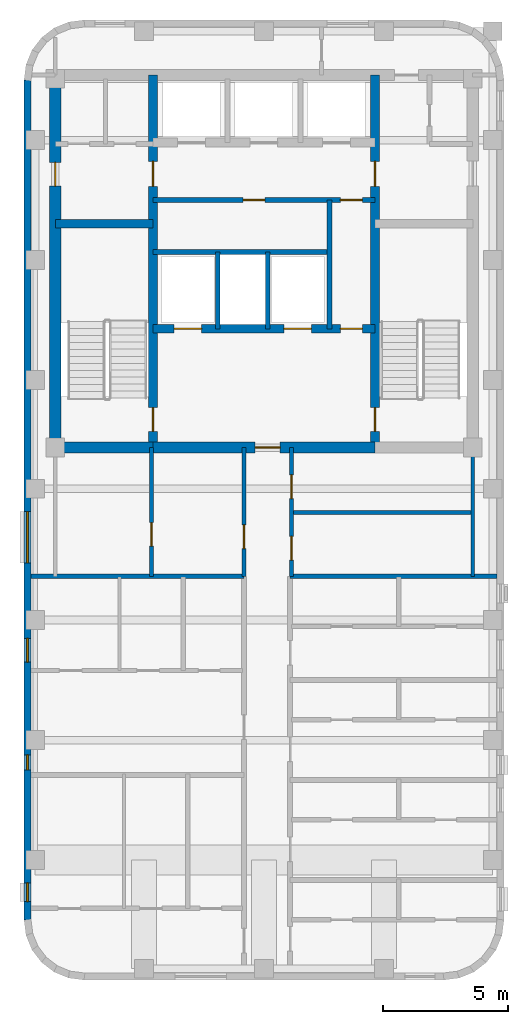
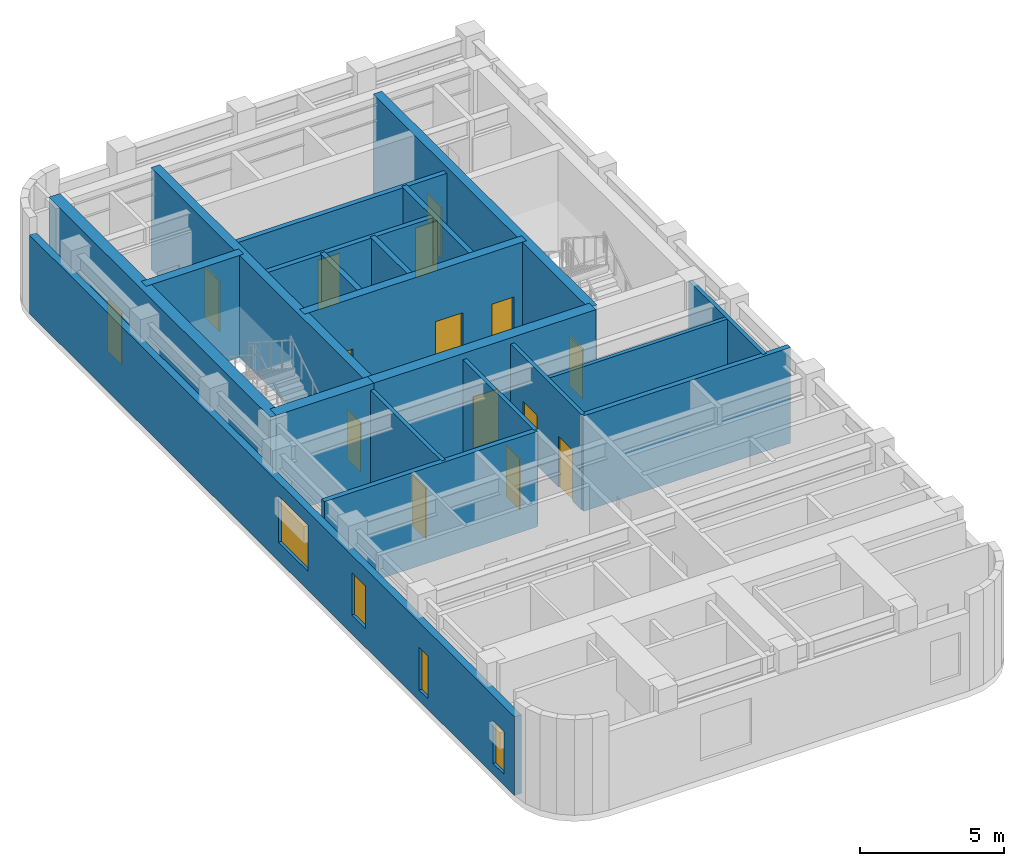
# One storey, part 3 of 6: 20 walls, 15 doors, 4 windows, 19 openings.
"""IFC4 building model written with IfcOpenShell, lengths in metres."""

from ifc_helpers import new_model, si_unit, direction, frame, frame_2d, origin, place, context, subcontext, project, spatial, rectangle, extrude, material, layer, layer_set, type_object, element, fill, save


model = new_model("IFC4")

# Units and contexts
model_context = context("Model", 3, precision=1e-05, world=origin(), true_north=direction((0.0, 1.0)))
body_context = subcontext(model_context, "Body", "Model", "MODEL_VIEW")
ifc_project = project(units=[si_unit("LENGTHUNIT", "METRE"), si_unit("AREAUNIT", "SQUARE_METRE"), si_unit("VOLUMEUNIT", "CUBIC_METRE"), si_unit("PLANEANGLEUNIT", "RADIAN"), si_unit("MASSUNIT", "GRAM", prefix="KILO")], contexts=[model_context])

# Site, building, storey
site_placement = place(None, origin())
site = spatial("IfcSite", under=ifc_project, at=site_placement, CompositionType="ELEMENT")
building_placement = place(site_placement, origin())
building = spatial("IfcBuilding", under=site, at=building_placement, Name="Orvandelia Arch Residences", CompositionType="ELEMENT")
storey_placement = place(building_placement, frame((0.0, 0.0, 261.300048828125)))
storey = spatial("IfcBuildingStorey", under=building, at=storey_placement, Name="L68", CompositionType="ELEMENT", Elevation=261.300048828125)

# Wall, openings, doors
ifc_material_1 = material(Name="Concrete C50/60", Category="concrete")
ifc_layer_1 = layer(ifc_material_1, 0.35009765625, Name="Concrete C50/60", Category="concrete")
ifc_layer_set_1 = layer_set([ifc_layer_1], Name="Concrete C50/60")
wall_type_1 = type_object("IfcWallType", Name="WL-CORE-350", PredefinedType="SHEAR", material=ifc_layer_set_1)
wall_1_placement = place(storey_placement, frame((9.9599609375, 30.89990234375, 0.0), z_axis=(0.0, 0.0, 1.0), x_axis=(0.0, 1.0, 0.0)))
wall_1 = element("IfcWall", 1, at=wall_1_placement, inside=storey, type_object=wall_type_1, Name="Core Shear Wall L68-WEB1", PredefinedType="SHEAR", context=body_context, shape_type="SweptSolid", body=[
    extrude(rectangle(XDim=14.900146484375, YDim=0.35009765625, at=frame_2d((7.4501953125, 0.0))), origin(), (0.0, 0.0, 1.0), 4.300048828125),
])
opening_1_placement = place(wall_1_placement, frame((0.64990234375, 0.0, 0.0)))
opening_1 = element("IfcOpeningElement", 2, at=opening_1_placement, cuts=wall_1, Name="Opening D7", PredefinedType="OPENING", context=body_context, shape_type="SweptSolid", body=[
    extrude(rectangle(XDim=0.949951171875, YDim=2.10009765625, at=frame_2d((0.47509765625, 1.050048828125))), frame((0.0, 0.18505859375, 0.0), z_axis=(0.0, -1.0, 0.0), x_axis=(1.0, 0.0, 0.0)), (0.0, 0.0, 1.0), 0.3701171875),
])
opening_2_placement = place(wall_1_placement, frame((10.449951171875, 0.0, 0.0)))
opening_2 = element("IfcOpeningElement", 3, at=opening_2_placement, cuts=wall_1, Name="Opening D6", PredefinedType="OPENING", context=body_context, shape_type="SweptSolid", body=[
    extrude(rectangle(XDim=1.0, YDim=2.14990234375, at=frame_2d((0.5, 1.074951171875))), frame((0.0, 0.18505859375, 0.0), z_axis=(0.0, -1.0, 0.0), x_axis=(1.0, 0.0, 0.0)), (0.0, 0.0, 1.0), 0.3701171875),
])
ifc_material_2 = material(Name="Smokeproof Painted Steel Fire Door", Category="steel")
door_type_1 = type_object("IfcDoorType", Name="DR-FD60-1000", OperationType="NOTDEFINED", PredefinedType="DOOR", material=ifc_material_2)
door_1_placement = place(opening_2_placement, origin())
door_1 = element("IfcDoor", 4, at=door_1_placement, inside=storey, type_object=door_type_1, Name="High-Rise Lift Hall West Vestibule Door L68", OperationType="SINGLE_SWING_LEFT", OverallHeight=2.14990234375, OverallWidth=1.0, PredefinedType="DOOR", context=body_context, shape_type="SweptSolid", body=[
    extrude(rectangle(XDim=1.0, YDim=2.14990234375, at=frame_2d((0.5, 1.074951171875))), frame((0.0, 0.02490234375, 0.0), z_axis=(0.0, -1.0, 0.0), x_axis=(1.0, 0.0, 0.0)), (0.0, 0.0, 1.0), 0.050048828125),
])
fill(opening_2, door_1)
ifc_material_3 = material(Name="Pressurised Stairwell Fire Door")
door_type_2 = type_object("IfcDoorType", Name="DR-STAIR-950", OperationType="NOTDEFINED", PredefinedType="DOOR", material=ifc_material_3)
door_2_placement = place(opening_1_placement, origin())
door_2 = element("IfcDoor", 5, at=door_2_placement, inside=storey, type_object=door_type_2, Name="Stairwell ST-1 Fire Door L68", OperationType="SINGLE_SWING_LEFT", OverallHeight=2.10009765625, OverallWidth=0.949951171875, PredefinedType="DOOR", context=body_context, shape_type="SweptSolid", body=[
    extrude(rectangle(XDim=0.949951171875, YDim=2.10009765625, at=frame_2d((0.47509765625, 1.050048828125))), frame((0.0, 0.02490234375, 0.0), z_axis=(0.0, -1.0, 0.0), x_axis=(1.0, 0.0, 0.0)), (0.0, 0.0, 1.0), 0.050048828125),
])
fill(opening_1, door_2)

wall_2_placement = place(storey_placement, frame((18.840087890625, 30.89990234375, 0.0), z_axis=(0.0, 0.0, 1.0), x_axis=(0.0, 1.0, 0.0)))
wall_2 = element("IfcWall", 6, at=wall_2_placement, inside=storey, type_object=wall_type_1, Name="Core Shear Wall L68-WEB2", PredefinedType="SHEAR", context=body_context, shape_type="SweptSolid", body=[
    extrude(rectangle(XDim=14.900146484375, YDim=0.35009765625, at=frame_2d((7.4501953125, 0.0))), origin(), (0.0, 0.0, 1.0), 4.300048828125),
])
opening_3_placement = place(wall_2_placement, frame((0.64990234375, 0.0, 0.0)))
opening_3 = element("IfcOpeningElement", 7, at=opening_3_placement, cuts=wall_2, Name="Opening D7", PredefinedType="OPENING", context=body_context, shape_type="SweptSolid", body=[
    extrude(rectangle(XDim=0.949951171875, YDim=2.10009765625, at=frame_2d((0.47509765625, 1.050048828125))), frame((0.0, 0.18505859375, 0.0), z_axis=(0.0, -1.0, 0.0), x_axis=(1.0, 0.0, 0.0)), (0.0, 0.0, 1.0), 0.3701171875),
])
opening_4_placement = place(wall_2_placement, frame((10.449951171875, 0.0, 0.0)))
opening_4 = element("IfcOpeningElement", 8, at=opening_4_placement, cuts=wall_2, Name="Opening D6", PredefinedType="OPENING", context=body_context, shape_type="SweptSolid", body=[
    extrude(rectangle(XDim=1.0, YDim=2.14990234375, at=frame_2d((0.5, 1.074951171875))), frame((0.0, 0.18505859375, 0.0), z_axis=(0.0, -1.0, 0.0), x_axis=(1.0, 0.0, 0.0)), (0.0, 0.0, 1.0), 0.3701171875),
])
door_3_placement = place(opening_4_placement, origin())
door_3 = element("IfcDoor", 9, at=door_3_placement, inside=storey, type_object=door_type_1, Name="High-Rise Lift Hall East Vestibule Door L68", OperationType="SINGLE_SWING_RIGHT", OverallHeight=2.14990234375, OverallWidth=1.0, PredefinedType="DOOR", context=body_context, shape_type="SweptSolid", body=[
    extrude(rectangle(XDim=1.0, YDim=2.14990234375, at=frame_2d((0.5, 1.074951171875))), frame((0.0, 0.02490234375, 0.0), z_axis=(0.0, -1.0, 0.0), x_axis=(1.0, 0.0, 0.0)), (0.0, 0.0, 1.0), 0.050048828125),
])
fill(opening_4, door_3)
door_4_placement = place(opening_3_placement, origin())
door_4 = element("IfcDoor", 10, at=door_4_placement, inside=storey, type_object=door_type_2, Name="Stairwell ST-2 Fire Door L68", OperationType="SINGLE_SWING_RIGHT", OverallHeight=2.10009765625, OverallWidth=0.949951171875, PredefinedType="DOOR", context=body_context, shape_type="SweptSolid", body=[
    extrude(rectangle(XDim=0.949951171875, YDim=2.10009765625, at=frame_2d((0.47509765625, 1.050048828125))), frame((0.0, 0.02490234375, 0.0), z_axis=(0.0, -1.0, 0.0), x_axis=(1.0, 0.0, 0.0)), (0.0, 0.0, 1.0), 0.050048828125),
])
fill(opening_3, door_4)

# Wall
wall_3_placement = place(storey_placement, frame((6.050048828125, 39.85009765625, 0.0), z_axis=(0.0, 0.0, 1.0), x_axis=(1.0, 0.0, 0.0)))
element("IfcWall", 11, at=wall_3_placement, inside=storey, type_object=wall_type_1, Name="Core Shear Wall L68-HZ1", PredefinedType="SHEAR", context=body_context, shape_type="SweptSolid", body=[
    extrude(rectangle(XDim=3.909912109375, YDim=0.35009765625, at=frame_2d((1.955078125, 0.0))), origin(), (0.0, 0.0, 1.0), 4.300048828125),
])

# Wall, openings, doors
wall_4_placement = place(storey_placement, frame((9.9599609375, 35.64990234375, 0.0), z_axis=(0.0, 0.0, 1.0), x_axis=(1.0, 0.0, 0.0)))
wall_4 = element("IfcWall", 12, at=wall_4_placement, inside=storey, type_object=wall_type_1, Name="Core Shear Wall L68-HZ3", PredefinedType="SHEAR", context=body_context, shape_type="SweptSolid", body=[
    extrude(rectangle(XDim=8.880126953125, YDim=0.35009765625, at=frame_2d((4.43994140625, 0.0))), origin(), (0.0, 0.0, 1.0), 4.300048828125),
])
opening_5_placement = place(wall_4_placement, frame((0.840087890625, 0.0, 0.0)))
opening_5 = element("IfcOpeningElement", 13, at=opening_5_placement, cuts=wall_4, Name="Opening FLD", PredefinedType="OPENING", context=body_context, shape_type="SweptSolid", body=[
    extrude(rectangle(XDim=1.10009765625, YDim=2.14990234375, at=frame_2d((0.550048828125, 1.074951171875))), frame((0.0, 0.18505859375, 0.0), z_axis=(0.0, -1.0, 0.0), x_axis=(1.0, 0.0, 0.0)), (0.0, 0.0, 1.0), 0.3701171875),
])
opening_6_placement = place(wall_4_placement, frame((5.239990234375, 0.0, 0.0)))
opening_6 = element("IfcOpeningElement", 14, at=opening_6_placement, cuts=wall_4, Name="Opening FLD", PredefinedType="OPENING", context=body_context, shape_type="SweptSolid", body=[
    extrude(rectangle(XDim=1.10009765625, YDim=2.14990234375, at=frame_2d((0.550048828125, 1.074951171875))), frame((0.0, 0.18505859375, 0.0), z_axis=(0.0, -1.0, 0.0), x_axis=(1.0, 0.0, 0.0)), (0.0, 0.0, 1.0), 0.3701171875),
])
opening_7_placement = place(wall_4_placement, frame((7.5, 0.0, 0.0)))
opening_7 = element("IfcOpeningElement", 15, at=opening_7_placement, cuts=wall_4, Name="Opening D5", PredefinedType="OPENING", context=body_context, shape_type="SweptSolid", body=[
    extrude(rectangle(XDim=0.8798828125, YDim=2.10009765625, at=frame_2d((0.43994140625, 1.050048828125))), frame((0.0, 0.18505859375, 0.0), z_axis=(0.0, -1.0, 0.0), x_axis=(1.0, 0.0, 0.0)), (0.0, 0.0, 1.0), 0.3701171875),
])
ifc_material_4 = material(Name="Firefighting Lift Stainless Sliding Door")
door_type_3 = type_object("IfcDoorType", Name="DR-FLFT-1100", OperationType="NOTDEFINED", PredefinedType="DOOR", material=ifc_material_4)
door_5_placement = place(opening_5_placement, origin())
door_5 = element("IfcDoor", 16, at=door_5_placement, inside=storey, type_object=door_type_3, Name="Firefighting Lift Landing Door FLD-FL1-L68", OperationType="SLIDING_TO_LEFT", OverallHeight=2.14990234375, OverallWidth=1.10009765625, PredefinedType="DOOR", context=body_context, shape_type="SweptSolid", body=[
    extrude(rectangle(XDim=1.10009765625, YDim=2.14990234375, at=frame_2d((0.550048828125, 1.074951171875))), frame((0.0, 0.02490234375, 0.0), z_axis=(0.0, -1.0, 0.0), x_axis=(1.0, 0.0, 0.0)), (0.0, 0.0, 1.0), 0.050048828125),
])
fill(opening_5, door_5)
door_6_placement = place(opening_6_placement, origin())
door_6 = element("IfcDoor", 17, at=door_6_placement, inside=storey, type_object=door_type_3, Name="Firefighting Lift Landing Door FLD-FL2-L68", OperationType="SLIDING_TO_RIGHT", OverallHeight=2.14990234375, OverallWidth=1.10009765625, PredefinedType="DOOR", context=body_context, shape_type="SweptSolid", body=[
    extrude(rectangle(XDim=1.10009765625, YDim=2.14990234375, at=frame_2d((0.550048828125, 1.074951171875))), frame((0.0, 0.02490234375, 0.0), z_axis=(0.0, -1.0, 0.0), x_axis=(1.0, 0.0, 0.0)), (0.0, 0.0, 1.0), 0.050048828125),
])
fill(opening_6, door_6)
ifc_material_5 = material(Name="Painted Galvanised Steel Service Door", Category="steel")
door_type_4 = type_object("IfcDoorType", Name="DR-SRV-880", OperationType="NOTDEFINED", PredefinedType="DOOR", material=ifc_material_5)
door_7_placement = place(opening_7_placement, origin())
door_7 = element("IfcDoor", 18, at=door_7_placement, inside=storey, type_object=door_type_4, Name="Core Stairway Passage South Fire Door L68", OperationType="SINGLE_SWING_LEFT", OverallHeight=2.10009765625, OverallWidth=0.8798828125, PredefinedType="DOOR", context=body_context, shape_type="SweptSolid", body=[
    extrude(rectangle(XDim=0.8798828125, YDim=2.10009765625, at=frame_2d((0.43994140625, 1.050048828125))), frame((0.0, 0.02490234375, 0.0), z_axis=(0.0, -1.0, 0.0), x_axis=(1.0, 0.0, 0.0)), (0.0, 0.0, 1.0), 0.050048828125),
])
fill(opening_7, door_7)

# Wall, opening, door
ifc_layer_2 = layer(ifc_material_1, 0.449951171875, Name="Concrete C50/60", Category="concrete")
ifc_layer_set_2 = layer_set([ifc_layer_2], Name="Concrete C50/60")
wall_type_2 = type_object("IfcWallType", Name="WL-CORE-450", PredefinedType="SHEAR", material=ifc_layer_set_2)
wall_5_placement = place(storey_placement, frame((6.050048828125, 30.675048828125, 0.0), z_axis=(0.0, 0.0, 1.0), x_axis=(0.0, 1.0, 0.0)))
wall_5 = element("IfcWall", 19, at=wall_5_placement, inside=storey, type_object=wall_type_2, Name="Core Shear Wall L68-W", PredefinedType="SHEAR", context=body_context, shape_type="SweptSolid", body=[
    extrude(rectangle(XDim=15.349853515625, YDim=0.449951171875, at=frame_2d((7.6748046875, 0.0))), origin(), (0.0, 0.0, 1.0), 4.300048828125),
])
opening_8_placement = place(wall_5_placement, frame((10.675048828125, 0.0, 0.0)))
opening_8 = element("IfcOpeningElement", 20, at=opening_8_placement, cuts=wall_5, Name="Opening D2", PredefinedType="OPENING", context=body_context, shape_type="SweptSolid", body=[
    extrude(rectangle(XDim=0.949951171875, YDim=2.14990234375, at=frame_2d((0.47509765625, 1.074951171875))), frame((0.0, 0.23486328125, 0.0), z_axis=(0.0, -1.0, 0.0), x_axis=(1.0, 0.0, 0.0)), (0.0, 0.0, 1.0), 0.469970703125),
])
ifc_material_6 = material(Name="Solid-Core Timber Interior Fire Door", Category="wood")
door_type_5 = type_object("IfcDoorType", Name="DR-APT-950", OperationType="NOTDEFINED", PredefinedType="DOOR", material=ifc_material_6)
door_8_placement = place(opening_8_placement, origin())
door_8 = element("IfcDoor", 21, at=door_8_placement, inside=storey, type_object=door_type_5, Name="West Viewing Study Door L68", OperationType="SINGLE_SWING_RIGHT", OverallHeight=2.14990234375, OverallWidth=0.949951171875, PredefinedType="DOOR", context=body_context, shape_type="SweptSolid", body=[
    extrude(rectangle(XDim=0.949951171875, YDim=2.14990234375, at=frame_2d((0.47509765625, 1.074951171875))), frame((0.0, 0.02490234375, 0.0), z_axis=(0.0, -1.0, 0.0), x_axis=(1.0, 0.0, 0.0)), (0.0, 0.0, 1.0), 0.050048828125),
])
fill(opening_8, door_8)

# Wall
wall_6_placement = place(storey_placement, frame((6.050048828125, 30.89990234375, 0.0), z_axis=(0.0, 0.0, 1.0), x_axis=(1.0, 0.0, 0.0)))
element("IfcWall", 22, at=wall_6_placement, inside=storey, type_object=wall_type_2, Name="Core Shear Wall L68-SW", PredefinedType="SHEAR", context=body_context, shape_type="SweptSolid", body=[
    extrude(rectangle(XDim=3.909912109375, YDim=0.449951171875, at=frame_2d((1.955078125, 0.0))), origin(), (0.0, 0.0, 1.0), 4.300048828125),
])

# Wall, opening, door
wall_7_placement = place(storey_placement, frame((9.9599609375, 30.89990234375, 0.0), z_axis=(0.0, 0.0, 1.0), x_axis=(1.0, 0.0, 0.0)))
wall_7 = element("IfcWall", 23, at=wall_7_placement, inside=storey, type_object=wall_type_2, Name="Core Shear Wall L68-SM", PredefinedType="SHEAR", context=body_context, shape_type="SweptSolid", body=[
    extrude(rectangle(XDim=8.880126953125, YDim=0.449951171875, at=frame_2d((4.43994140625, 0.0))), origin(), (0.0, 0.0, 1.0), 4.300048828125),
])
opening_9_placement = place(wall_7_placement, frame((4.090087890625, 0.0, 0.0)))
opening_9 = element("IfcOpeningElement", 24, at=opening_9_placement, cuts=wall_7, Name="Opening D6", PredefinedType="OPENING", context=body_context, shape_type="SweptSolid", body=[
    extrude(rectangle(XDim=1.0, YDim=2.14990234375, at=frame_2d((0.5, 1.074951171875))), frame((0.0, 0.23486328125, 0.0), z_axis=(0.0, -1.0, 0.0), x_axis=(1.0, 0.0, 0.0)), (0.0, 0.0, 1.0), 0.469970703125),
])
door_9_placement = place(opening_9_placement, origin())
door_9 = element("IfcDoor", 25, at=door_9_placement, inside=storey, type_object=door_type_1, Name="Firefighting Lobby Smokeproof Door L68", OperationType="SINGLE_SWING_LEFT", OverallHeight=2.14990234375, OverallWidth=1.0, PredefinedType="DOOR", context=body_context, shape_type="SweptSolid", body=[
    extrude(rectangle(XDim=1.0, YDim=2.14990234375, at=frame_2d((0.5, 1.074951171875))), frame((0.0, 0.02490234375, 0.0), z_axis=(0.0, -1.0, 0.0), x_axis=(1.0, 0.0, 0.0)), (0.0, 0.0, 1.0), 0.050048828125),
])
fill(opening_9, door_9)

# Walls
ifc_material_7 = material(Name="Fire-Rated Corridor Partition")
ifc_layer_3 = layer(ifc_material_7, 0.199951171875, Name="Fire-Rated Corridor Partition")
ifc_layer_set_3 = layer_set([ifc_layer_3], Name="Fire-Rated Corridor Partition")
wall_type_3 = type_object("IfcWallType", Name="WL-CORR-200", PredefinedType="PARTITIONING", material=ifc_layer_set_3)
wall_8_placement = place(storey_placement, frame((5.080078125, 25.75, 0.0), z_axis=(0.0, 0.0, 1.0), x_axis=(1.0, 0.0, 0.0)))
element("IfcWall", 26, at=wall_8_placement, inside=storey, type_object=wall_type_3, Name="Interior Partition Wall WL-L68-WCLS-W", PredefinedType="PARTITIONING", context=body_context, shape_type="SweptSolid", body=[
    extrude(rectangle(XDim=8.52001953125, YDim=0.199951171875, at=frame_2d((4.260009765625, 0.0))), origin(), (0.0, 0.0, 1.0), 4.0400390625),
])
wall_9_placement = place(storey_placement, frame((15.449951171875, 25.75, 0.0), z_axis=(0.0, 0.0, 1.0), x_axis=(1.0, 0.0, 0.0)))
element("IfcWall", 27, at=wall_9_placement, inside=storey, type_object=wall_type_3, Name="Interior Partition Wall WL-L68-WCLS-E", PredefinedType="PARTITIONING", context=body_context, shape_type="SweptSolid", body=[
    extrude(rectangle(XDim=8.27001953125, YDim=0.199951171875, at=frame_2d((4.135009765625, 0.0))), origin(), (0.0, 0.0, 1.0), 4.0400390625),
])

# Wall, openings, windows
ifc_material_8 = material(Name="Precast concrete C40/50", Category="concrete")
ifc_layer_4 = layer(ifc_material_8, 0.280029296875, Name="Precast concrete C40/50", Category="concrete")
ifc_layer_set_4 = layer_set([ifc_layer_4], Name="Precast concrete C40/50")
wall_type_4 = type_object("IfcWallType", Name="WL-EXT-STONE-280", PredefinedType="STANDARD", material=ifc_layer_set_4)
wall_10_placement = place(storey_placement, frame((4.93994140625, 12.0, 0.0), z_axis=(0.0, 0.0, 1.0), x_axis=(0.0, 1.0, 0.0)))
wall_10 = element("IfcWall", 28, at=wall_10_placement, inside=storey, type_object=wall_type_4, Name="Coral-Limestone Precast Facade Wall L68-028", PredefinedType="STANDARD", context=body_context, shape_type="SweptSolid", body=[
    extrude(rectangle(XDim=33.60009765625, YDim=0.280029296875, at=frame_2d((16.800048828125, 0.0))), origin(), (0.0, 0.0, 1.0), 3.320068359375),
])
opening_10_placement = place(wall_10_placement, frame((0.736083984375, 0.0, 0.449951171875)))
opening_10 = element("IfcOpeningElement", 29, at=opening_10_placement, cuts=wall_10, Name="Opening W11", PredefinedType="OPENING", context=body_context, shape_type="SweptSolid", body=[
    extrude(rectangle(XDim=0.75, YDim=1.800048828125, at=frame_2d((0.375, 0.89990234375))), frame((0.0, 0.14990234375, 0.0), z_axis=(0.0, -1.0, 0.0), x_axis=(1.0, 0.0, 0.0)), (0.0, 0.0, 1.0), 0.300048828125),
])
opening_11_placement = place(wall_10_placement, frame((6.00244140625, 0.0, 0.449951171875)))
opening_11 = element("IfcOpeningElement", 30, at=opening_11_placement, cuts=wall_10, Name="Opening W12", PredefinedType="OPENING", context=body_context, shape_type="SweptSolid", body=[
    extrude(rectangle(XDim=0.60009765625, YDim=1.800048828125, at=frame_2d((0.300048828125, 0.89990234375))), frame((0.0, 0.14990234375, 0.0), z_axis=(0.0, -1.0, 0.0), x_axis=(1.0, 0.0, 0.0)), (0.0, 0.0, 1.0), 0.300048828125),
])
opening_12_placement = place(wall_10_placement, frame((10.3173828125, 0.0, 0.800048828125)))
opening_12 = element("IfcOpeningElement", 31, at=opening_12_placement, cuts=wall_10, Name="Opening W4", PredefinedType="OPENING", context=body_context, shape_type="SweptSolid", body=[
    extrude(rectangle(XDim=0.949951171875, YDim=1.800048828125, at=frame_2d((0.47509765625, 0.89990234375))), frame((0.0, 0.14990234375, 0.0), z_axis=(0.0, -1.0, 0.0), x_axis=(1.0, 0.0, 0.0)), (0.0, 0.0, 1.0), 0.300048828125),
])
opening_13_placement = place(wall_10_placement, frame((14.282470703125, 0.0, 0.800048828125)))
opening_13 = element("IfcOpeningElement", 32, at=opening_13_placement, cuts=wall_10, Name="Opening W8", PredefinedType="OPENING", context=body_context, shape_type="SweptSolid", body=[
    extrude(rectangle(XDim=2.050048828125, YDim=1.949951171875, at=frame_2d((1.02490234375, 0.97509765625))), frame((0.0, 0.14990234375, 0.0), z_axis=(0.0, -1.0, 0.0), x_axis=(1.0, 0.0, 0.0)), (0.0, 0.0, 1.0), 0.300048828125),
])
ifc_material_9 = material(Name="Tempered Low-E Insulated Glazing", Category="glass")
window_type_1 = type_object("IfcWindowType", Name="WIN-BED-0750x1800", PartitioningType="SINGLE_PANEL", PredefinedType="WINDOW", material=ifc_material_9)
window_1_placement = place(opening_10_placement, origin())
window_1 = element("IfcWindow", 33, at=window_1_placement, inside=storey, type_object=window_type_1, Name="Recessed Punched Window L68-012", OverallHeight=1.800048828125, OverallWidth=0.75, PartitioningType="SINGLE_PANEL", PredefinedType="WINDOW", context=body_context, shape_type="SweptSolid", body=[
    extrude(rectangle(XDim=0.75, YDim=1.800048828125, at=frame_2d((0.375, 0.89990234375))), frame((0.0, 0.030029296875, 0.0), z_axis=(0.0, -1.0, 0.0), x_axis=(1.0, 0.0, 0.0)), (0.0, 0.0, 1.0), 0.06005859375),
])
fill(opening_10, window_1)
window_type_2 = type_object("IfcWindowType", Name="WIN-LAN-0600x1800", PartitioningType="SINGLE_PANEL", PredefinedType="WINDOW", material=ifc_material_9)
window_2_placement = place(opening_11_placement, origin())
window_2 = element("IfcWindow", 34, at=window_2_placement, inside=storey, type_object=window_type_2, Name="Recessed Punched Window L68-013", OverallHeight=1.800048828125, OverallWidth=0.60009765625, PartitioningType="SINGLE_PANEL", PredefinedType="WINDOW", context=body_context, shape_type="SweptSolid", body=[
    extrude(rectangle(XDim=0.60009765625, YDim=1.800048828125, at=frame_2d((0.300048828125, 0.89990234375))), frame((0.0, 0.030029296875, 0.0), z_axis=(0.0, -1.0, 0.0), x_axis=(1.0, 0.0, 0.0)), (0.0, 0.0, 1.0), 0.06005859375),
])
fill(opening_11, window_2)
window_type_3 = type_object("IfcWindowType", Name="WIN-RES-0950x1800", PartitioningType="SINGLE_PANEL", PredefinedType="WINDOW", material=ifc_material_9)
window_3_placement = place(opening_12_placement, origin())
window_3 = element("IfcWindow", 35, at=window_3_placement, inside=storey, type_object=window_type_3, Name="Recessed Punched Window L68-014", OverallHeight=1.800048828125, OverallWidth=0.949951171875, PartitioningType="SINGLE_PANEL", PredefinedType="WINDOW", context=body_context, shape_type="SweptSolid", body=[
    extrude(rectangle(XDim=0.949951171875, YDim=1.800048828125, at=frame_2d((0.47509765625, 0.89990234375))), frame((0.0, 0.030029296875, 0.0), z_axis=(0.0, -1.0, 0.0), x_axis=(1.0, 0.0, 0.0)), (0.0, 0.0, 1.0), 0.06005859375),
])
fill(opening_12, window_3)
window_type_4 = type_object("IfcWindowType", Name="WIN-UPP-2050x1950", PartitioningType="SINGLE_PANEL", PredefinedType="WINDOW", material=ifc_material_9)
window_4_placement = place(opening_13_placement, origin())
window_4 = element("IfcWindow", 36, at=window_4_placement, inside=storey, type_object=window_type_4, Name="Recessed Punched Window L68-015", OverallHeight=1.949951171875, OverallWidth=2.050048828125, PartitioningType="SINGLE_PANEL", PredefinedType="WINDOW", context=body_context, shape_type="SweptSolid", body=[
    extrude(rectangle(XDim=2.050048828125, YDim=1.949951171875, at=frame_2d((1.02490234375, 0.97509765625))), frame((0.0, 0.030029296875, 0.0), z_axis=(0.0, -1.0, 0.0), x_axis=(1.0, 0.0, 0.0)), (0.0, 0.0, 1.0), 0.06005859375),
])
fill(opening_13, window_4)

# Wall, opening, door
ifc_material_10 = material(Name="Acoustic Gypsum Stud Partition")
ifc_layer_5 = layer(ifc_material_10, 0.14990234375, Name="Acoustic Gypsum Stud Partition")
ifc_layer_set_5 = layer_set([ifc_layer_5], Name="Acoustic Gypsum Stud Partition")
wall_type_5 = type_object("IfcWallType", Name="WL-PART-150", PredefinedType="PARTITIONING", material=ifc_layer_set_5)
wall_11_placement = place(storey_placement, frame((13.60009765625, 25.75, 0.0), z_axis=(0.0, 0.0, 1.0), x_axis=(0.0, 1.0, 0.0)))
wall_11 = element("IfcWall", 37, at=wall_11_placement, inside=storey, type_object=wall_type_5, Name="Interior Partition Wall WL-L68-HI-W1", PredefinedType="PARTITIONING", context=body_context, shape_type="SweptSolid", body=[
    extrude(rectangle(XDim=5.14990234375, YDim=0.14990234375, at=frame_2d((2.574951171875, 0.0))), origin(), (0.0, 0.0, 1.0), 4.0400390625),
])
opening_14_placement = place(wall_11_placement, frame((1.10009765625, 0.0, 0.0)))
opening_14 = element("IfcOpeningElement", 38, at=opening_14_placement, cuts=wall_11, Name="Opening D2", PredefinedType="OPENING", context=body_context, shape_type="SweptSolid", body=[
    extrude(rectangle(XDim=0.949951171875, YDim=2.14990234375, at=frame_2d((0.47509765625, 1.074951171875))), frame((0.0, 0.0849609375, 0.0), z_axis=(0.0, -1.0, 0.0), x_axis=(1.0, 0.0, 0.0)), (0.0, 0.0, 1.0), 0.169921875),
])
door_10_placement = place(opening_14_placement, origin())
door_10 = element("IfcDoor", 39, at=door_10_placement, inside=storey, type_object=door_type_5, Name="DR-L68-HIR1B", OperationType="SINGLE_SWING_LEFT", OverallHeight=2.14990234375, OverallWidth=0.949951171875, PredefinedType="DOOR", context=body_context, shape_type="SweptSolid", body=[
    extrude(rectangle(XDim=0.949951171875, YDim=2.14990234375, at=frame_2d((0.47509765625, 1.074951171875))), frame((0.0, 0.02490234375, 0.0), z_axis=(0.0, -1.0, 0.0), x_axis=(1.0, 0.0, 0.0)), (0.0, 0.0, 1.0), 0.050048828125),
])
fill(opening_14, door_10)

# Wall, openings, doors
wall_12_placement = place(storey_placement, frame((15.5, 25.75, 0.0), z_axis=(0.0, 0.0, 1.0), x_axis=(0.0, 1.0, 0.0)))
wall_12 = element("IfcWall", 40, at=wall_12_placement, inside=storey, type_object=wall_type_5, Name="Interior Partition Wall WL-L68-HI-W2", PredefinedType="PARTITIONING", context=body_context, shape_type="SweptSolid", body=[
    extrude(rectangle(XDim=5.14990234375, YDim=0.14990234375, at=frame_2d((2.574951171875, 0.0))), origin(), (0.0, 0.0, 1.0), 4.0400390625),
])
opening_15_placement = place(wall_12_placement, frame((0.64990234375, 0.0, 0.0)))
opening_15 = element("IfcOpeningElement", 41, at=opening_15_placement, cuts=wall_12, Name="Opening D2", PredefinedType="OPENING", context=body_context, shape_type="SweptSolid", body=[
    extrude(rectangle(XDim=0.949951171875, YDim=2.14990234375, at=frame_2d((0.47509765625, 1.074951171875))), frame((0.0, 0.0849609375, 0.0), z_axis=(0.0, -1.0, 0.0), x_axis=(1.0, 0.0, 0.0)), (0.0, 0.0, 1.0), 0.169921875),
])
opening_16_placement = place(wall_12_placement, frame((3.10009765625, 0.0, 0.0)))
opening_16 = element("IfcOpeningElement", 42, at=opening_16_placement, cuts=wall_12, Name="Opening D2", PredefinedType="OPENING", context=body_context, shape_type="SweptSolid", body=[
    extrude(rectangle(XDim=0.949951171875, YDim=2.14990234375, at=frame_2d((0.47509765625, 1.074951171875))), frame((0.0, 0.0849609375, 0.0), z_axis=(0.0, -1.0, 0.0), x_axis=(1.0, 0.0, 0.0)), (0.0, 0.0, 1.0), 0.169921875),
])
door_11_placement = place(opening_15_placement, origin())
door_11 = element("IfcDoor", 43, at=door_11_placement, inside=storey, type_object=door_type_5, Name="DR-L68-HIR2S", OperationType="SINGLE_SWING_RIGHT", OverallHeight=2.14990234375, OverallWidth=0.949951171875, PredefinedType="DOOR", context=body_context, shape_type="SweptSolid", body=[
    extrude(rectangle(XDim=0.949951171875, YDim=2.14990234375, at=frame_2d((0.47509765625, 1.074951171875))), frame((0.0, 0.02490234375, 0.0), z_axis=(0.0, -1.0, 0.0), x_axis=(1.0, 0.0, 0.0)), (0.0, 0.0, 1.0), 0.050048828125),
])
fill(opening_15, door_11)
door_12_placement = place(opening_16_placement, origin())
door_12 = element("IfcDoor", 44, at=door_12_placement, inside=storey, type_object=door_type_5, Name="DR-L68-HIR2N", OperationType="SINGLE_SWING_LEFT", OverallHeight=2.14990234375, OverallWidth=0.949951171875, PredefinedType="DOOR", context=body_context, shape_type="SweptSolid", body=[
    extrude(rectangle(XDim=0.949951171875, YDim=2.14990234375, at=frame_2d((0.47509765625, 1.074951171875))), frame((0.0, 0.02490234375, 0.0), z_axis=(0.0, -1.0, 0.0), x_axis=(1.0, 0.0, 0.0)), (0.0, 0.0, 1.0), 0.050048828125),
])
fill(opening_16, door_12)

# Wall
wall_13_placement = place(storey_placement, frame((22.75, 25.75, 0.0), z_axis=(0.0, 0.0, 1.0), x_axis=(0.0, 1.0, 0.0)))
element("IfcWall", 45, at=wall_13_placement, inside=storey, type_object=wall_type_5, Name="Interior Partition Wall WL-L68-HI-WE", PredefinedType="PARTITIONING", context=body_context, shape_type="SweptSolid", body=[
    extrude(rectangle(XDim=5.14990234375, YDim=0.14990234375, at=frame_2d((2.574951171875, 0.0))), origin(), (0.0, 0.0, 1.0), 4.0400390625),
])

# Wall, opening, door
wall_14_placement = place(storey_placement, frame((9.89990234375, 25.75, 0.0), z_axis=(0.0, 0.0, 1.0), x_axis=(0.0, 1.0, 0.0)))
wall_14 = element("IfcWall", 46, at=wall_14_placement, inside=storey, type_object=wall_type_5, Name="Interior Partition Wall WL-L68-HIR-M1", PredefinedType="PARTITIONING", context=body_context, shape_type="SweptSolid", body=[
    extrude(rectangle(XDim=5.14990234375, YDim=0.14990234375, at=frame_2d((2.574951171875, 0.0))), origin(), (0.0, 0.0, 1.0), 4.0400390625),
])
opening_17_placement = place(wall_14_placement, frame((1.199951171875, 0.0, 0.0)))
opening_17 = element("IfcOpeningElement", 47, at=opening_17_placement, cuts=wall_14, Name="Opening D2", PredefinedType="OPENING", context=body_context, shape_type="SweptSolid", body=[
    extrude(rectangle(XDim=0.949951171875, YDim=2.14990234375, at=frame_2d((0.47509765625, 1.074951171875))), frame((0.0, 0.0849609375, 0.0), z_axis=(0.0, -1.0, 0.0), x_axis=(1.0, 0.0, 0.0)), (0.0, 0.0, 1.0), 0.169921875),
])
door_13_placement = place(opening_17_placement, origin())
door_13 = element("IfcDoor", 48, at=door_13_placement, inside=storey, type_object=door_type_5, Name="DR-L68-HIR1A", OperationType="SINGLE_SWING_RIGHT", OverallHeight=2.14990234375, OverallWidth=0.949951171875, PredefinedType="DOOR", context=body_context, shape_type="SweptSolid", body=[
    extrude(rectangle(XDim=0.949951171875, YDim=2.14990234375, at=frame_2d((0.47509765625, 1.074951171875))), frame((0.0, 0.02490234375, 0.0), z_axis=(0.0, -1.0, 0.0), x_axis=(1.0, 0.0, 0.0)), (0.0, 0.0, 1.0), 0.050048828125),
])
fill(opening_17, door_13)

# Walls
wall_15_placement = place(storey_placement, frame((15.5, 28.300048828125, 0.0), z_axis=(0.0, 0.0, 1.0), x_axis=(1.0, 0.0, 0.0)))
element("IfcWall", 49, at=wall_15_placement, inside=storey, type_object=wall_type_5, Name="Interior Partition Wall WL-L68-HIR-H2", PredefinedType="PARTITIONING", context=body_context, shape_type="SweptSolid", body=[
    extrude(rectangle(XDim=7.25, YDim=0.14990234375, at=frame_2d((3.625, 0.0))), origin(), (0.0, 0.0, 1.0), 4.0400390625),
])
ifc_material_11 = material(Name="Fire-Rated Shaft Enclosure Wall")
ifc_layer_6 = layer(ifc_material_11, 0.199951171875, Name="Fire-Rated Shaft Enclosure Wall")
ifc_layer_set_6 = layer_set([ifc_layer_6], Name="Fire-Rated Shaft Enclosure Wall")
wall_type_6 = type_object("IfcWallType", Name="WL-SHAFT-200", PredefinedType="POLYGONAL", material=ifc_layer_set_6)
wall_16_placement = place(storey_placement, frame((9.9599609375, 38.719970703125, 0.0), z_axis=(0.0, 0.0, 1.0), x_axis=(1.0, 0.0, 0.0)))
element("IfcWall", 50, at=wall_16_placement, inside=storey, type_object=wall_type_6, Name="Interior Partition Wall WL-L68-FLN", PredefinedType="POLYGONAL", context=body_context, shape_type="SweptSolid", body=[
    extrude(rectangle(XDim=7.06005859375, YDim=0.199951171875, at=frame_2d((3.530029296875, 0.0))), origin(), (0.0, 0.0, 1.0), 4.0400390625),
])
for number, where, z_axis, x_axis, name in (
    (51, (12.550048828125, 35.64990234375, 0.0), (0.0, 0.0, 1.0), (0.0, 1.0, 0.0), "Interior Partition Wall WL-L68-FLM1"),
    (52, (14.550048828125, 35.64990234375, 0.0), (0.0, 0.0, 1.0), (0.0, 1.0, 0.0), "Interior Partition Wall WL-L68-FLM2"),
):
    element("IfcWall", number, at=place(storey_placement, frame(where, z_axis=z_axis, x_axis=x_axis)), inside=storey, type_object=wall_type_6, Name=name, PredefinedType="POLYGONAL", context=body_context, shape_type="SweptSolid", body=[
        extrude(rectangle(XDim=3.070068359375, YDim=0.199951171875, at=frame_2d((1.53515625, 0.0))), origin(), (0.0, 0.0, 1.0), 4.0400390625),
    ])
wall_17_placement = place(storey_placement, frame((17.02001953125, 35.64990234375, 0.0), z_axis=(0.0, 0.0, 1.0), x_axis=(0.0, 1.0, 0.0)))
element("IfcWall", 53, at=wall_17_placement, inside=storey, type_object=wall_type_6, Name="Interior Partition Wall WL-L68-FLM3", PredefinedType="POLYGONAL", context=body_context, shape_type="SweptSolid", body=[
    extrude(rectangle(XDim=5.150146484375, YDim=0.199951171875, at=frame_2d((2.5751953125, 0.0))), origin(), (0.0, 0.0, 1.0), 4.0400390625),
])

# Wall, openings, doors
wall_18_placement = place(storey_placement, frame((9.9599609375, 40.800048828125, 0.0), z_axis=(0.0, 0.0, 1.0), x_axis=(1.0, 0.0, 0.0)))
wall_18 = element("IfcWall", 54, at=wall_18_placement, inside=storey, type_object=wall_type_6, Name="Interior Partition Wall WL-L68-HLH-S", PredefinedType="POLYGONAL", context=body_context, shape_type="SweptSolid", body=[
    extrude(rectangle(XDim=8.880126953125, YDim=0.199951171875, at=frame_2d((4.43994140625, 0.0))), origin(), (0.0, 0.0, 1.0), 4.0400390625),
])
opening_18_placement = place(wall_18_placement, frame((7.5, 0.0, 0.0)))
opening_18 = element("IfcOpeningElement", 55, at=opening_18_placement, cuts=wall_18, Name="Opening D5", PredefinedType="OPENING", context=body_context, shape_type="SweptSolid", body=[
    extrude(rectangle(XDim=0.8798828125, YDim=2.10009765625, at=frame_2d((0.43994140625, 1.050048828125))), frame((0.0, 0.10986328125, 0.0), z_axis=(0.0, -1.0, 0.0), x_axis=(1.0, 0.0, 0.0)), (0.0, 0.0, 1.0), 0.219970703125),
])
opening_19_placement = place(wall_18_placement, frame((3.60009765625, 0.0, 0.0)))
opening_19 = element("IfcOpeningElement", 56, at=opening_19_placement, cuts=wall_18, Name="Opening D5", PredefinedType="OPENING", context=body_context, shape_type="SweptSolid", body=[
    extrude(rectangle(XDim=0.8798828125, YDim=2.10009765625, at=frame_2d((0.43994140625, 1.050048828125))), frame((0.0, 0.10986328125, 0.0), z_axis=(0.0, -1.0, 0.0), x_axis=(1.0, 0.0, 0.0)), (0.0, 0.0, 1.0), 0.219970703125),
])
door_14_placement = place(opening_18_placement, origin())
door_14 = element("IfcDoor", 57, at=door_14_placement, inside=storey, type_object=door_type_4, Name="Core Stairway Passage North Fire Door L68", OperationType="SINGLE_SWING_RIGHT", OverallHeight=2.10009765625, OverallWidth=0.8798828125, PredefinedType="DOOR", context=body_context, shape_type="SweptSolid", body=[
    extrude(rectangle(XDim=0.8798828125, YDim=2.10009765625, at=frame_2d((0.43994140625, 1.050048828125))), frame((0.0, 0.02490234375, 0.0), z_axis=(0.0, -1.0, 0.0), x_axis=(1.0, 0.0, 0.0)), (0.0, 0.0, 1.0), 0.050048828125),
])
fill(opening_18, door_14)
door_15_placement = place(opening_19_placement, origin())
door_15 = element("IfcDoor", 58, at=door_15_placement, inside=storey, type_object=door_type_4, Name="DR-L68-CSA1", OperationType="SINGLE_SWING_LEFT", OverallHeight=2.10009765625, OverallWidth=0.8798828125, PredefinedType="DOOR", context=body_context, shape_type="SweptSolid", body=[
    extrude(rectangle(XDim=0.8798828125, YDim=2.10009765625, at=frame_2d((0.43994140625, 1.050048828125))), frame((0.0, 0.02490234375, 0.0), z_axis=(0.0, -1.0, 0.0), x_axis=(1.0, 0.0, 0.0)), (0.0, 0.0, 1.0), 0.050048828125),
])
fill(opening_19, door_15)

save(model, "model.ifc")
